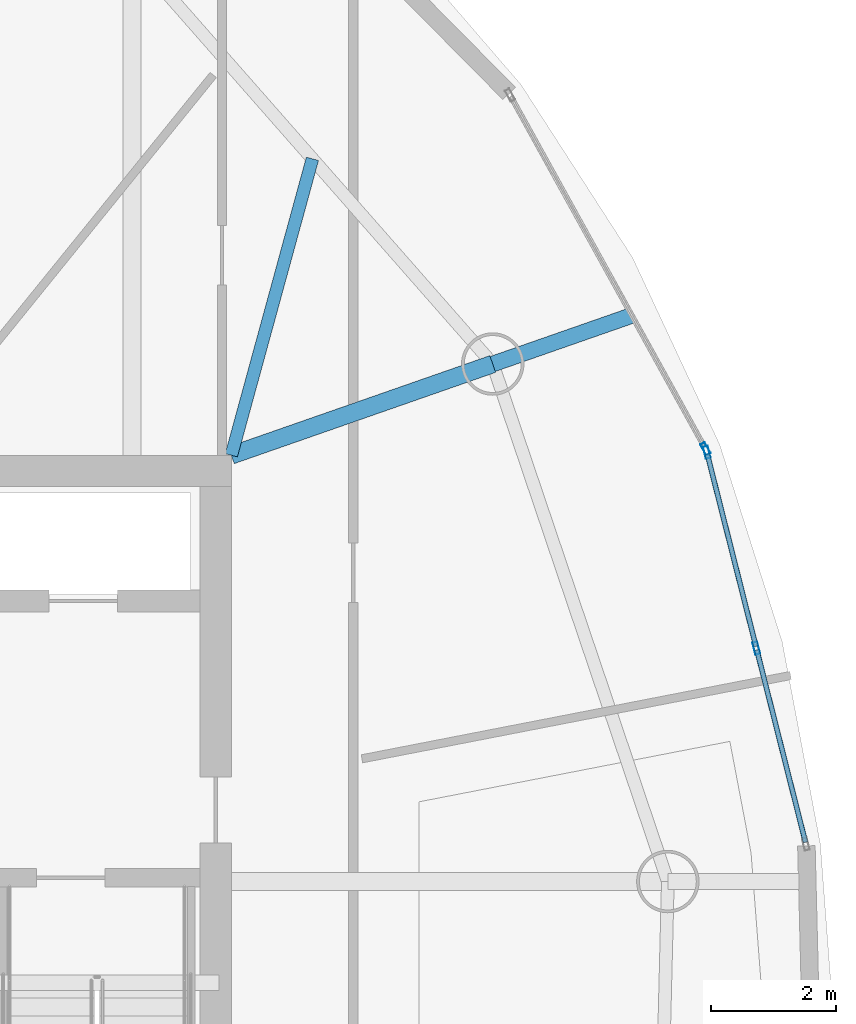
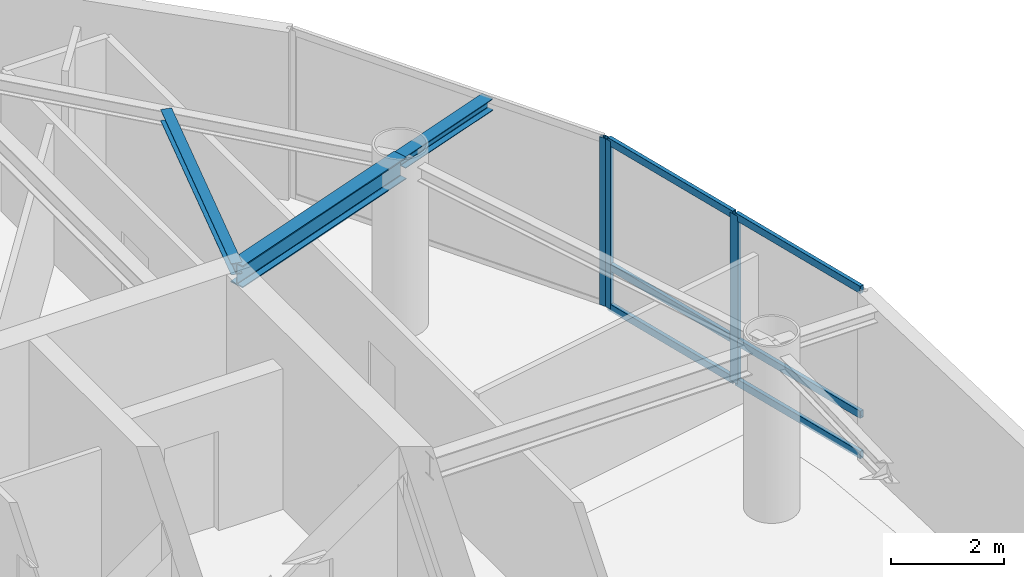
# One storey, part 9 of 20: 9 members, 3 beams, 2 elements without a shape of their own.
"""IFC4 building model written with IfcOpenShell, lengths in metres."""

from ifc_helpers import new_model, si_unit, direction, frame, origin, origin_2d, place, context, subcontext, project, spatial, hollow_rectangle, i_section, extrude, material, layer, layer_set, material_profile, profile_set, type_object, element, aggregate, save


model = new_model("IFC4")

# Units and contexts
model_context = context("Model", 3, precision=1e-05, world=origin(), true_north=direction((0.0, 1.0)))
body_context = subcontext(model_context, "Body", "Model", "MODEL_VIEW")
ifc_project = project(units=[si_unit("LENGTHUNIT", "METRE"), si_unit("AREAUNIT", "SQUARE_METRE"), si_unit("VOLUMEUNIT", "CUBIC_METRE"), si_unit("PLANEANGLEUNIT", "RADIAN"), si_unit("MASSUNIT", "GRAM", prefix="KILO")], contexts=[model_context])

# Site, building, storey
site_placement = place(None, origin())
site = spatial("IfcSite", under=ifc_project, at=site_placement, CompositionType="ELEMENT")
building_placement = place(site_placement, origin())
building = spatial("IfcBuilding", under=site, at=building_placement, Name="Bramvorn Convention Spire", CompositionType="ELEMENT")
storey_placement = place(building_placement, frame((0.0, 0.0, 245.89990234375)))
storey = spatial("IfcBuildingStorey", under=building, at=storey_placement, Name="L62", CompositionType="ELEMENT", Elevation=245.89990234375)

# Beams
ifc_material_1 = material(Name="Steel CSA G40.21 Grade 350 (350W)", Category="steel")
ifc_material_profile_1 = material_profile(ifc_material_1, i_section(OverallWidth=0.201904296875, OverallDepth=0.2470703125, WebThickness=0.00732421875, FlangeThickness=0.010986328125, FilletRadius=0.011962890625, at=origin_2d()))
ifc_profile_set_1 = profile_set([ifc_material_profile_1], Name="Steel CSA G40.21 Grade 350 (350W) - W250X49")
beam_type_1 = type_object("IfcBeamType", Name="BM-W250X49", PredefinedType="JOIST", material=ifc_profile_set_1)
beam_1_placement = place(storey_placement, frame((49.25, 33.449951171875, 3.501708984375), z_axis=(0.26386506219, 0.96455960363, 0.0), x_axis=(-0.96455960363, 0.26386506219, 0.0)))
element("IfcBeam", 1, at=beam_1_placement, inside=storey, type_object=beam_type_1, Name="L62 composite floor joist 05", PredefinedType="JOIST", context=body_context, shape_type="SweptSolid", body=[
    extrude(i_section(OverallWidth=0.201904296875, OverallDepth=0.2470703125, WebThickness=0.00732421875, FlangeThickness=0.010986328125, FilletRadius=0.011962890625, at=origin_2d()), origin(), (0.0, 0.0, 1.0), 4.917724609375),
])
ifc_material_profile_2 = material_profile(ifc_material_1, i_section(OverallWidth=0.25390625, OverallDepth=0.2529296875, WebThickness=0.008544921875, FlangeThickness=0.01416015625, FilletRadius=0.011962890625, at=origin_2d()))
ifc_profile_set_2 = profile_set([ifc_material_profile_2], Name="Steel CSA G40.21 Grade 350 (350W) - W250X73")
beam_type_2 = type_object("IfcBeamType", Name="BM-W250X73", PredefinedType="BEAM", material=ifc_profile_set_2)
beam_2_placement = place(storey_placement, frame((53.4326171875, 34.909912109375, 3.49853515625), z_axis=(0.944118207365, 0.329607054721, 0.0), x_axis=(-0.329607054721, 0.944118207365, 0.0)))
element("IfcBeam", 2, at=beam_2_placement, inside=storey, type_object=beam_type_2, Name="L62 slab-edge cantilever tip beam MC05", PredefinedType="BEAM", context=body_context, shape_type="SweptSolid", body=[
    extrude(i_section(OverallWidth=0.25390625, OverallDepth=0.2529296875, WebThickness=0.008544921875, FlangeThickness=0.01416015625, FilletRadius=0.011962890625, at=origin_2d()), origin(), (0.0, 0.0, 1.0), 2.370361328125),
])
ifc_material_profile_3 = material_profile(ifc_material_1, i_section(OverallWidth=0.283935546875, OverallDepth=0.47607421875, WebThickness=0.014892578125, FlangeThickness=0.02392578125, FilletRadius=0.01806640625, at=origin_2d()))
ifc_profile_set_3 = profile_set([ifc_material_profile_3], Name="Steel CSA G40.21 Grade 350 (350W) - W460X158")
beam_type_3 = type_object("IfcBeamType", Name="BM-W460X158", PredefinedType="SPANDREL", material=ifc_profile_set_3)
beam_3_placement = place(storey_placement, frame((49.25, 33.449951171875, 3.38720703125), z_axis=(0.944136391877, 0.329554962843, 0.0), x_axis=(-0.329554962843, 0.944136391877, 0.0)))
element("IfcBeam", 3, at=beam_3_placement, inside=storey, type_object=beam_type_3, Name="L62 radial floor girder MC05", PredefinedType="SPANDREL", context=body_context, shape_type="SweptSolid", body=[
    extrude(i_section(OverallWidth=0.283935546875, OverallDepth=0.47607421875, WebThickness=0.014892578125, FlangeThickness=0.02392578125, FilletRadius=0.01806640625, at=origin_2d()), origin(), (0.0, 0.0, 1.0), 4.43017578125),
])

# Curtain wall, members
ifc_material_2 = material(Name="Anodised Bronze Unitised Curtain Wall", Category="aluminium")
ifc_layer = layer(ifc_material_2, 0.179931640625)
ifc_layer_set = layer_set([ifc_layer], Name="Anodised Bronze Unitised Curtain Wall - CW-OFF-FRIT")
curtain_wall_type = type_object("IfcCurtainWallType", Name="CW-OFF-FRIT", PredefinedType="USERDEFINED", material=ifc_layer_set)
curtain_wall_1_placement = place(storey_placement, origin())
curtain_wall_1 = element("IfcCurtainWall", 4, at=curtain_wall_1_placement, inside=storey, type_object=curtain_wall_type, Name="L62 fritted glass curtain wall 05", ObjectType="UNITISED CURTAIN WALL", PredefinedType="USERDEFINED")
ifc_material_3 = material(Name="Anodised Bronze Aluminium 6063-T6", Category="aluminium")
ifc_material_profile_4 = material_profile(ifc_material_3, hollow_rectangle(XDim=0.080078125, YDim=0.199951171875, WallThickness=0.00390625, InnerFilletRadius=0.0009765625, OuterFilletRadius=0.00390625, at=origin_2d()))
ifc_profile_set_4 = profile_set([ifc_material_profile_4], Name="Anodised Bronze Aluminium 6063-T6 - CWM80X200")
member_type_1 = type_object("IfcMemberType", Name="CW-MUL-180", PredefinedType="MULLION", material=ifc_profile_set_4)
member_1_placement = place(storey_placement, frame((56.8583984375, 33.497802734375, 0.0), z_axis=(0.0, 0.0, 1.0), x_axis=(0.969477303814, 0.245181070619, 0.0)))
member_1 = element("IfcMember", 5, at=member_1_placement, type_object=member_type_1, Name="CW3 mullion 1", PredefinedType="MULLION", context=body_context, shape_type="SweptSolid", body=[
    extrude(hollow_rectangle(XDim=0.080078125, YDim=0.199951171875, WallThickness=0.00390625, InnerFilletRadius=0.0009765625, OuterFilletRadius=0.00390625, at=origin_2d()), origin(), (0.0, 0.0, 1.0), 3.625),
])
member_2_placement = place(storey_placement, frame((57.651123046875, 30.36328125, 0.0), z_axis=(0.0, 0.0, 1.0), x_axis=(0.969477303814, 0.245181070619, 0.0)))
member_2 = element("IfcMember", 6, at=member_2_placement, type_object=member_type_1, Name="CW3 mullion 2", PredefinedType="MULLION", context=body_context, shape_type="SweptSolid", body=[
    extrude(hollow_rectangle(XDim=0.080078125, YDim=0.199951171875, WallThickness=0.00390625, InnerFilletRadius=0.0009765625, OuterFilletRadius=0.00390625, at=origin_2d()), origin(), (0.0, 0.0, 1.0), 3.625),
])

# Curtain wall, member
curtain_wall_2_placement = place(storey_placement, origin())
curtain_wall_2 = element("IfcCurtainWall", 7, at=curtain_wall_2_placement, inside=storey, type_object=curtain_wall_type, Name="L62 fritted glass curtain wall 06", ObjectType="UNITISED CURTAIN WALL", PredefinedType="USERDEFINED")
member_3_placement = place(storey_placement, frame((56.836669921875, 33.552978515625, 0.0), z_axis=(0.0, 0.0, 1.0), x_axis=(0.875308947838, 0.483564107264, 0.0)))
member_3 = element("IfcMember", 8, at=member_3_placement, type_object=member_type_1, Name="CW3 mullion 2", PredefinedType="MULLION", context=body_context, shape_type="SweptSolid", body=[
    extrude(hollow_rectangle(XDim=0.080078125, YDim=0.199951171875, WallThickness=0.00390625, InnerFilletRadius=0.0009765625, OuterFilletRadius=0.00390625, at=origin_2d()), origin(), (0.0, 0.0, 1.0), 3.625),
])
aggregate(curtain_wall_2, [member_3])

# Member
ifc_material_profile_5 = material_profile(ifc_material_3, hollow_rectangle(XDim=0.080078125, YDim=0.159912109375, WallThickness=0.00390625, InnerFilletRadius=0.0009765625, OuterFilletRadius=0.00390625, at=origin_2d()))
ifc_profile_set_5 = profile_set([ifc_material_profile_5], Name="Anodised Bronze Aluminium 6063-T6 - CWT80X160")
member_type_2 = type_object("IfcMemberType", Name="CW-TRN-150", PredefinedType="USERDEFINED", material=ifc_profile_set_5)
member_4_placement = place(storey_placement, frame((56.86572265625, 33.46875, 0.030029296875), z_axis=(0.245195801439, -0.969473578266, 0.0), x_axis=(0.969473578266, 0.245195801439, 0.0)))
member_4 = element("IfcMember", 9, at=member_4_placement, type_object=member_type_2, Name="CW3 transom 1.1", ObjectType="TRANSOM", PredefinedType="USERDEFINED", context=body_context, shape_type="SweptSolid", body=[
    extrude(hollow_rectangle(XDim=0.080078125, YDim=0.159912109375, WallThickness=0.00390625, InnerFilletRadius=0.0009765625, OuterFilletRadius=0.00390625, at=origin_2d()), origin(), (0.0, 0.0, 1.0), 3.17333984375),
])

member_5_placement = place(storey_placement, frame((56.86572265625, 33.46875, 0.900146484375), z_axis=(0.245195801439, -0.969473578266, 0.0), x_axis=(0.969473578266, 0.245195801439, 0.0)))
member_5 = element("IfcMember", 10, at=member_5_placement, type_object=member_type_2, Name="CW3 transom 1.2", ObjectType="TRANSOM", PredefinedType="USERDEFINED", context=body_context, shape_type="SweptSolid", body=[
    extrude(hollow_rectangle(XDim=0.080078125, YDim=0.159912109375, WallThickness=0.00390625, InnerFilletRadius=0.0009765625, OuterFilletRadius=0.00390625, at=origin_2d()), origin(), (0.0, 0.0, 1.0), 3.17333984375),
])

member_6_placement = place(storey_placement, frame((56.86572265625, 33.46875, 3.59521484375), z_axis=(0.245195801439, -0.969473578266, 0.0), x_axis=(0.969473578266, 0.245195801439, 0.0)))
member_6 = element("IfcMember", 11, at=member_6_placement, type_object=member_type_2, Name="CW3 transom 1.3", ObjectType="TRANSOM", PredefinedType="USERDEFINED", context=body_context, shape_type="SweptSolid", body=[
    extrude(hollow_rectangle(XDim=0.080078125, YDim=0.159912109375, WallThickness=0.00390625, InnerFilletRadius=0.0009765625, OuterFilletRadius=0.00390625, at=origin_2d()), origin(), (0.0, 0.0, 1.0), 3.17333984375),
])

member_7_placement = place(storey_placement, frame((57.658447265625, 30.334228515625, 0.030029296875), z_axis=(0.245214091339, -0.969468952267, 0.0), x_axis=(0.969468952267, 0.245214091339, 0.0)))
member_7 = element("IfcMember", 12, at=member_7_placement, type_object=member_type_2, Name="CW3 transom 2.1", ObjectType="TRANSOM", PredefinedType="USERDEFINED", context=body_context, shape_type="SweptSolid", body=[
    extrude(hollow_rectangle(XDim=0.080078125, YDim=0.159912109375, WallThickness=0.00390625, InnerFilletRadius=0.0009765625, OuterFilletRadius=0.00390625, at=origin_2d()), origin(), (0.0, 0.0, 1.0), 3.173095703125),
])

member_8_placement = place(storey_placement, frame((57.658447265625, 30.334228515625, 0.900146484375), z_axis=(0.245214091339, -0.969468952267, 0.0), x_axis=(0.969468952267, 0.245214091339, 0.0)))
member_8 = element("IfcMember", 13, at=member_8_placement, type_object=member_type_2, Name="CW3 transom 2.2", ObjectType="TRANSOM", PredefinedType="USERDEFINED", context=body_context, shape_type="SweptSolid", body=[
    extrude(hollow_rectangle(XDim=0.080078125, YDim=0.159912109375, WallThickness=0.00390625, InnerFilletRadius=0.0009765625, OuterFilletRadius=0.00390625, at=origin_2d()), origin(), (0.0, 0.0, 1.0), 3.173095703125),
])

member_9_placement = place(storey_placement, frame((57.658447265625, 30.334228515625, 3.59521484375), z_axis=(0.245214091339, -0.969468952267, 0.0), x_axis=(0.969468952267, 0.245214091339, 0.0)))
member_9 = element("IfcMember", 14, at=member_9_placement, type_object=member_type_2, Name="CW3 transom 2.3", ObjectType="TRANSOM", PredefinedType="USERDEFINED", context=body_context, shape_type="SweptSolid", body=[
    extrude(hollow_rectangle(XDim=0.080078125, YDim=0.159912109375, WallThickness=0.00390625, InnerFilletRadius=0.0009765625, OuterFilletRadius=0.00390625, at=origin_2d()), origin(), (0.0, 0.0, 1.0), 3.173095703125),
])

aggregate(curtain_wall_1, [member_1, member_2, member_4, member_5, member_6, member_7, member_8, member_9])

save(model, "model.ifc")
